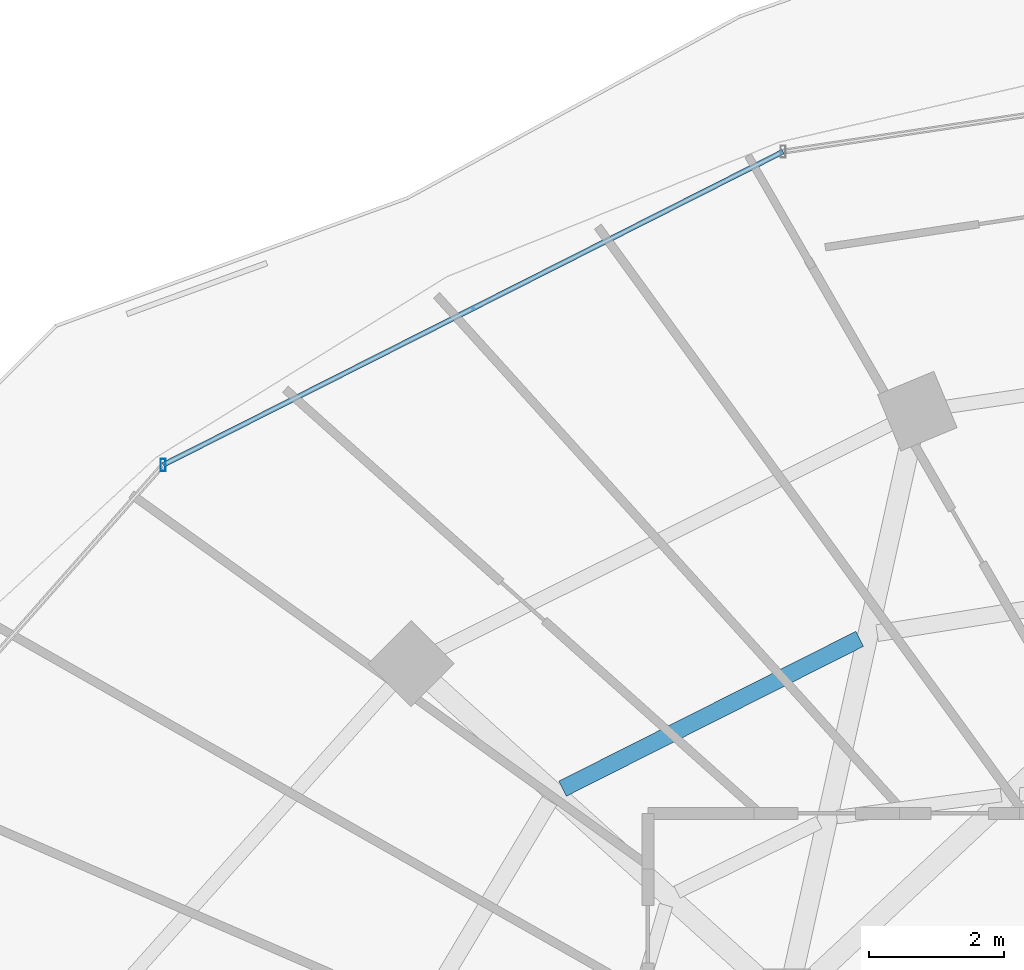
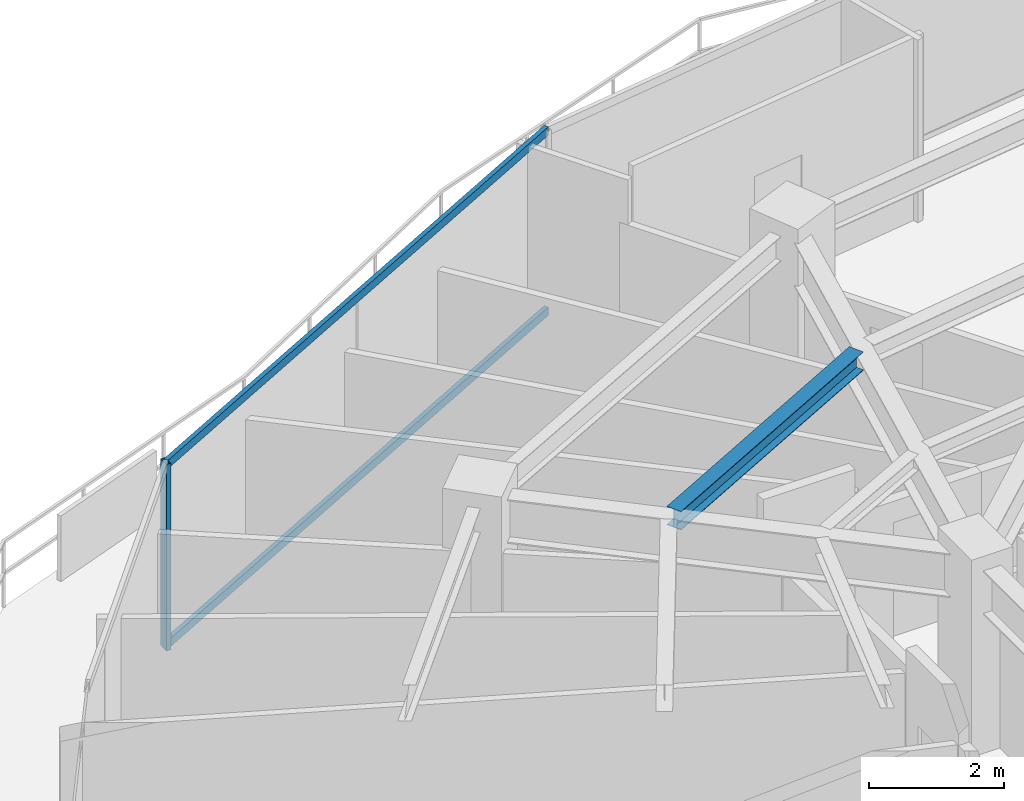
# One storey, part 18 of 34: 3 members, 1 beam, 1 element without a shape of its own.
"""IFC4 building model written with IfcOpenShell, lengths in metres."""

import ifcopenshell
import ifcopenshell.guid

model = None  # the IFC model being written
_history = None  # IfcOwnerHistory: only IFC2X3 demands one
_inside = {}  # id of a spatial element -> (the spatial element, [elements in it])
_under = {}  # id of a project, library or spatial element -> (it, [spatial elements below it])
_declared = {}  # id of a project -> (the project, [libraries it declares])
_typed = {}  # id of a type object -> (the type object, [elements of that type])
_made_of = {}  # id of a material, layer set ... -> (it, [elements and type objects made of it])


def new_model(schema):
    """Start an empty IFC model of exactly this schema.

    Asked for "IFC4X3", IfcOpenShell would pick the latest addendum, in which some entities
    have other attributes; the version numbers below select the first issue.
    IFC2X3 requires an IfcOwnerHistory on every rooted entity: one is made here for all.
    """
    global model, _history
    if schema == "IFC4X3":
        model = ifcopenshell.file(schema_version=(4, 3, 0, 0))
    else:
        model = ifcopenshell.file(schema=schema)
    _inside.clear()
    _under.clear()
    _declared.clear()
    _typed.clear()
    _made_of.clear()
    _history = None
    if model.schema == "IFC2X3":
        org = make("IfcOrganization", Name="unknown")
        user = make(
            "IfcPersonAndOrganization",
            ThePerson=make("IfcPerson", FamilyName="unknown"),
            TheOrganization=org,
        )
        app = make(
            "IfcApplication",
            ApplicationDeveloper=org,
            Version="unknown",
            ApplicationFullName="unknown",
            ApplicationIdentifier="unknown",
        )
        _history = make(
            "IfcOwnerHistory",
            OwningUser=user,
            OwningApplication=app,
            ChangeAction="ADDED",
            CreationDate=0,
        )
    return model


def make(cls, **values):
    """One entity of the class cls with the attributes given. An attribute that is None is left unset."""
    return model.create_entity(
        cls, **{name: value for name, value in values.items() if value is not None}
    )


def rooted(cls, **values):
    """An entity with a GlobalId (a new one), such as an element, a storey or a relation."""
    return make(cls, GlobalId=ifcopenshell.guid.new(), OwnerHistory=_history, **values)


def si_unit(unit_type, name, prefix=None):
    """IfcSIUnit, for example si_unit("LENGTHUNIT", "METRE", prefix="MILLI")."""
    return make("IfcSIUnit", UnitType=unit_type, Prefix=prefix, Name=name)


def assignment(units):
    """IfcUnitAssignment: the units of a project."""
    return None if units is None else make("IfcUnitAssignment", Units=units)


def point(xyz):
    """IfcCartesianPoint."""
    return None if xyz is None else make("IfcCartesianPoint", Coordinates=xyz)


def direction(xyz):
    """IfcDirection."""
    return None if xyz is None else make("IfcDirection", DirectionRatios=xyz)


def frame(location, z_axis=None, x_axis=None):
    """IfcAxis2Placement3D, a coordinate frame: its origin and axes. An axis left out is left unset."""
    return make(
        "IfcAxis2Placement3D",
        Location=point(location),
        Axis=direction(z_axis),
        RefDirection=direction(x_axis),
    )


def frame_2d(location, x_axis=None):
    """IfcAxis2Placement2D, a coordinate frame in the plane: its origin and x axis."""
    return make(
        "IfcAxis2Placement2D", Location=point(location), RefDirection=direction(x_axis)
    )


def origin():
    """The frame at (0, 0, 0) with its axes left unset."""
    return frame((0.0, 0.0, 0.0))


def origin_2d():
    """The frame at (0, 0) in the plane with its x axis left unset."""
    return frame_2d((0.0, 0.0))


def place(relative_to, where):
    """IfcLocalPlacement: puts the frame where relative to a parent placement (None: the world)."""
    return make(
        "IfcLocalPlacement", PlacementRelTo=relative_to, RelativePlacement=where
    )


def context(
    kind, dimensions, precision=None, world=None, true_north=None, identifier=None
):
    """IfcGeometricRepresentationContext, for example the 3D "Model" context."""
    return make(
        "IfcGeometricRepresentationContext",
        ContextIdentifier=identifier,
        ContextType=kind,
        CoordinateSpaceDimension=dimensions,
        Precision=precision,
        WorldCoordinateSystem=world,
        TrueNorth=true_north,
    )


def subcontext(parent, identifier, kind, view, scale=None):
    """IfcGeometricRepresentationSubContext, for example "Body" below "Model"."""
    return make(
        "IfcGeometricRepresentationSubContext",
        ContextIdentifier=identifier,
        ContextType=kind,
        ParentContext=parent,
        TargetScale=scale,
        TargetView=view,
    )


def project(units=None, contexts=None):
    """IfcProject with its units and contexts."""
    return rooted(
        "IfcProject",
        Name="project",
        RepresentationContexts=contexts,
        UnitsInContext=assignment(units),
    )


def spatial(cls, under=None, at=None, **own):
    """A site, building, storey or space (cls), placed at a placement, below another one or the project."""
    s = rooted(cls, ObjectPlacement=at, **own)
    if under is not None:
        _under.setdefault(under.id(), (under, []))[1].append(s)
    return s


def profile(cls, at=None, kind="AREA", **sizes):
    """A parametric profile (cls). Its sizes go by their IFC names, for example OverallWidth=200.0."""
    return make(cls, ProfileType=kind, Position=at, **sizes)


def hollow_rectangle(**sizes):
    """IfcRectangleHollowProfileDef."""
    return profile("IfcRectangleHollowProfileDef", **sizes)


def i_section(**sizes):
    """IfcIShapeProfileDef."""
    return profile("IfcIShapeProfileDef", **sizes)


def extrude(swept, where, along, depth):
    """IfcExtrudedAreaSolid: the profile swept, set in the frame where, extruded along a direction by depth."""
    return make(
        "IfcExtrudedAreaSolid",
        SweptArea=swept,
        Position=where,
        ExtrudedDirection=direction(along),
        Depth=depth,
    )


def shape(context_of_items, identifier, shape_type, items):
    """IfcShapeRepresentation: the items that make up one representation, for example the "Body"."""
    return make(
        "IfcShapeRepresentation",
        ContextOfItems=context_of_items,
        RepresentationIdentifier=identifier,
        RepresentationType=shape_type,
        Items=items,
    )


def material(Name=None, Category=None):
    """IfcMaterial."""
    return make("IfcMaterial", Name=Name, Category=Category)


def material_profile(
    of_material, cross_section, Name=None, Category=None, Priority=None
):
    """IfcMaterialProfile: a cross section and its material."""
    return make(
        "IfcMaterialProfile",
        Name=Name,
        Material=of_material,
        Profile=cross_section,
        Priority=Priority,
        Category=Category,
    )


def profile_set(profiles, Name=None, composite=None):
    """IfcMaterialProfileSet."""
    return make(
        "IfcMaterialProfileSet",
        Name=Name,
        MaterialProfiles=profiles,
        CompositeProfile=composite,
    )


def made_of(thing, what):
    """Note that an element or type object is made of a material, layer set ...; save() writes the relation."""
    if what is not None:
        _made_of.setdefault(what.id(), (what, []))[1].append(thing)
    return thing


def type_object(cls, material=None, **own):
    """A type object (cls), such as IfcWallType, which elements share."""
    return made_of(rooted(cls, **own), material)


def element(
    cls,
    number,
    at=None,
    inside=None,
    cuts=None,
    type_object=None,
    material=None,
    context=None,
    identifier="Body",
    shape_type=None,
    held_by="IfcProductDefinitionShape",
    body=None,
    shapes=None,
    **own,
):
    """One element of the class cls, such as IfcWall. Its Tag is "e" and its number.

    at: its placement. inside: the storey or other place that contains it. cuts: it is an
    opening in that element (IfcRelVoidsElement). A single representation is given by context,
    identifier, shape_type and body (its items); several are given by shapes. held_by: the class
    of the entity that holds the representations. save() writes the other relations.
    """
    e = rooted(cls, Tag="e%d" % number, ObjectPlacement=at, **own)
    if body is not None:
        shapes = [shape(context, identifier, shape_type, body)]
    if shapes is not None:
        e.Representation = make(held_by, Representations=shapes)
    if inside is not None:
        _inside.setdefault(inside.id(), (inside, []))[1].append(e)
    if cuts is not None:
        rooted(
            "IfcRelVoidsElement", RelatingBuildingElement=cuts, RelatedOpeningElement=e
        )
    if type_object is not None:
        _typed.setdefault(type_object.id(), (type_object, []))[1].append(e)
    return made_of(e, material)


def aggregate(whole, parts):
    """IfcRelAggregates: a whole, such as a stair, and the parts it consists of."""
    return rooted("IfcRelAggregates", RelatingObject=whole, RelatedObjects=parts)


def save(model, path):
    """Write the relations noted so far, then the file.

    IfcRelAggregates (storeys below a building ...), IfcRelContainedInSpatialStructure (elements
    in a storey), IfcRelDefinesByType, IfcRelAssociatesMaterial and IfcRelDeclares: one each for
    every whole, place, type object, material and project.
    """
    for whole, parts in _under.values():
        aggregate(whole, parts)
    for where, things in _inside.values():
        rooted(
            "IfcRelContainedInSpatialStructure",
            RelatedElements=things,
            RelatingStructure=where,
        )
    for kind, things in _typed.values():
        rooted("IfcRelDefinesByType", RelatedObjects=things, RelatingType=kind)
    for what, things in _made_of.values():
        rooted("IfcRelAssociatesMaterial", RelatedObjects=things, RelatingMaterial=what)
    for by, libraries in _declared.values():
        rooted("IfcRelDeclares", RelatingContext=by, RelatedDefinitions=libraries)
    model.write(path)


model = new_model("IFC4")

# Units and contexts
model_context = context("Model", 3, precision=1e-05, world=origin(), true_north=direction((0.0, 1.0)))
body_context = subcontext(model_context, "Body", "Model", "MODEL_VIEW")
ifc_project = project(units=[si_unit("LENGTHUNIT", "METRE"), si_unit("AREAUNIT", "SQUARE_METRE"), si_unit("VOLUMEUNIT", "CUBIC_METRE"), si_unit("PLANEANGLEUNIT", "RADIAN"), si_unit("MASSUNIT", "GRAM", prefix="KILO")], contexts=[model_context])

# Site, building, storey
site_placement = place(None, origin())
site = spatial("IfcSite", under=ifc_project, at=site_placement, CompositionType="ELEMENT")
building_placement = place(site_placement, origin())
building = spatial("IfcBuilding", under=site, at=building_placement, Name="Vorneva Point Tower", CompositionType="ELEMENT")
storey_placement = place(building_placement, frame((0.0, 0.0, 210.75)))
storey = spatial("IfcBuildingStorey", under=building, at=storey_placement, Name="L57", CompositionType="ELEMENT", Elevation=210.75)

# Beam
ifc_material_1 = material(Name="Steel S355", Category="steel")
ifc_material_profile_1 = material_profile(ifc_material_1, i_section(OverallWidth=0.2490234375, OverallDepth=0.333984375, WebThickness=0.008056640625, FlangeThickness=0.010986328125, at=origin_2d()), Name="35Sh1")
ifc_profile_set_1 = profile_set([ifc_material_profile_1], Name="Steel S355")
beam_type = type_object("IfcBeamType", Name="BM-SEC-35Sh1", PredefinedType="BEAM", material=ifc_profile_set_1)
beam_placement = place(storey_placement, frame((28.327392578125, 38.527587890625, 3.123046875), z_axis=(-0.89285196268, -0.450350277827, 0.0), x_axis=(0.450350277827, -0.89285196268, 0.0)))
element("IfcBeam", 1, at=beam_placement, inside=storey, type_object=beam_type, Name="L57 Secondary Floor Beam 1.06", PredefinedType="BEAM", context=body_context, shape_type="SweptSolid", body=[
    extrude(i_section(OverallWidth=0.2490234375, OverallDepth=0.333984375, WebThickness=0.008056640625, FlangeThickness=0.010986328125, at=origin_2d()), origin(), (0.0, 0.0, 1.0), 4.914794921875),
])

# Curtain wall, members
ifc_material_2 = material(Name="Pale anodised aluminium", Category="aluminium")
curtain_wall_type = type_object("IfcCurtainWallType", Name="CW-RES-SYS", PredefinedType="NOTDEFINED", material=ifc_material_2)
curtain_wall_placement = place(storey_placement, origin())
curtain_wall = element("IfcCurtainWall", 2, at=curtain_wall_placement, inside=storey, type_object=curtain_wall_type, Name="L57 Unitised Curtain Wall CW-L57-R02", PredefinedType="NOTDEFINED")
ifc_material_profile_2 = material_profile(ifc_material_2, hollow_rectangle(XDim=0.074951171875, YDim=0.179931640625, WallThickness=0.00390625, at=origin_2d()), Name="AL-MUL 180x75x4")
ifc_profile_set_2 = profile_set([ifc_material_profile_2], Name="Pale anodised aluminium")
member_type_1 = type_object("IfcMemberType", Name="CW-MUL-180", PredefinedType="MULLION", material=ifc_profile_set_2)
member_1_placement = place(storey_placement, frame((18.038330078125, 41.0966796875, -0.0400390625), z_axis=(0.0, 0.0, 1.0), x_axis=(1.0, 0.0, 0.0)))
member_1 = element("IfcMember", 3, at=member_1_placement, type_object=member_type_1, Name="CW-L57-R02 Mullion 05", PredefinedType="MULLION", context=body_context, shape_type="SweptSolid", body=[
    extrude(hollow_rectangle(XDim=0.074951171875, YDim=0.179931640625, WallThickness=0.00390625, at=origin_2d()), origin(), (0.0, 0.0, 1.0), 3.360107421875),
])
ifc_material_profile_3 = material_profile(ifc_material_2, hollow_rectangle(XDim=0.074951171875, YDim=0.14990234375, WallThickness=0.00390625, at=origin_2d()), Name="AL-TRN 150x75x4")
ifc_profile_set_3 = profile_set([ifc_material_profile_3], Name="Pale anodised aluminium")
member_type_2 = type_object("IfcMemberType", Name="CW-TRN-150", PredefinedType="USERDEFINED", material=ifc_profile_set_3)
member_2_placement = place(storey_placement, frame((27.19677734375, 45.724853515625, 0.02001953125), z_axis=(-0.892510927709, -0.451025768576, 0.0), x_axis=(0.451025768576, -0.892510927709, 0.0)))
member_2 = element("IfcMember", 4, at=member_2_placement, type_object=member_type_2, Name="CW-L57-R02 Transom 04.1", ObjectType="TRANSOM", PredefinedType="USERDEFINED", context=body_context, shape_type="SweptSolid", body=[
    extrude(hollow_rectangle(XDim=0.074951171875, YDim=0.14990234375, WallThickness=0.00390625, at=origin_2d()), origin(), (0.0, 0.0, 1.0), 10.261474609375),
])
member_3_placement = place(storey_placement, frame((27.19677734375, 45.724853515625, 3.27001953125), z_axis=(-0.892510927709, -0.451025768576, 0.0), x_axis=(0.451025768576, -0.892510927709, 0.0)))
member_3 = element("IfcMember", 5, at=member_3_placement, type_object=member_type_2, Name="CW-L57-R02 Transom 04.2", ObjectType="TRANSOM", PredefinedType="USERDEFINED", context=body_context, shape_type="SweptSolid", body=[
    extrude(hollow_rectangle(XDim=0.074951171875, YDim=0.14990234375, WallThickness=0.00390625, at=origin_2d()), origin(), (0.0, 0.0, 1.0), 10.261474609375),
])
aggregate(curtain_wall, [member_1, member_2, member_3])

save(model, "model.ifc")
